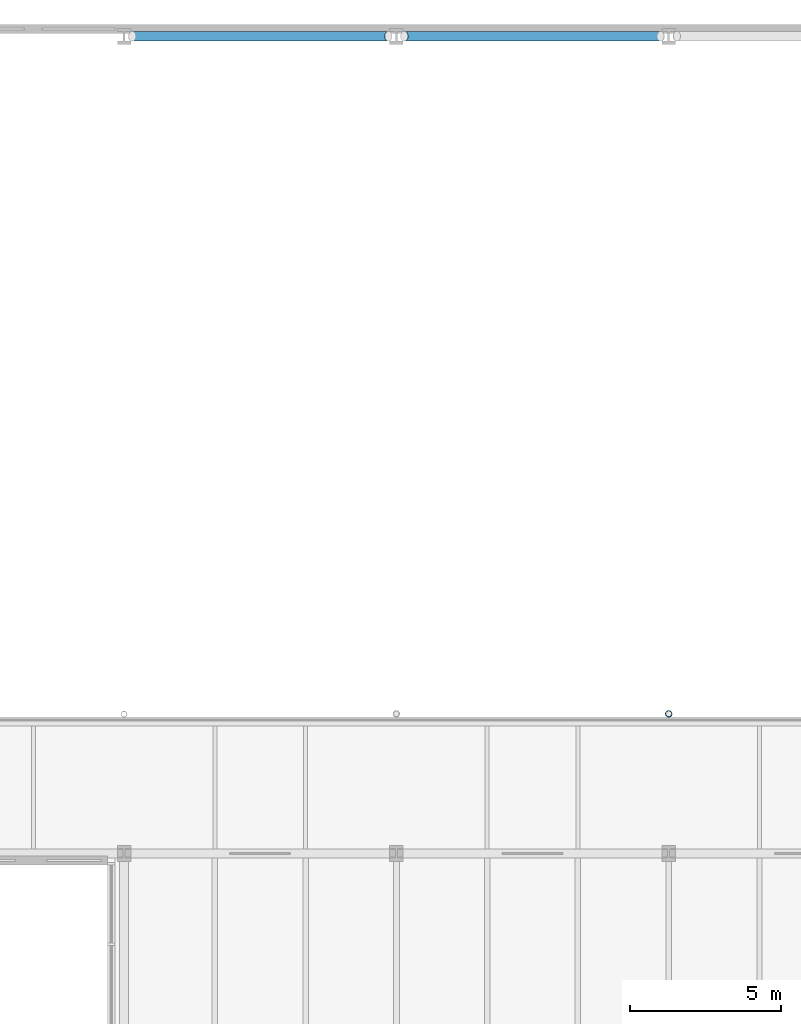
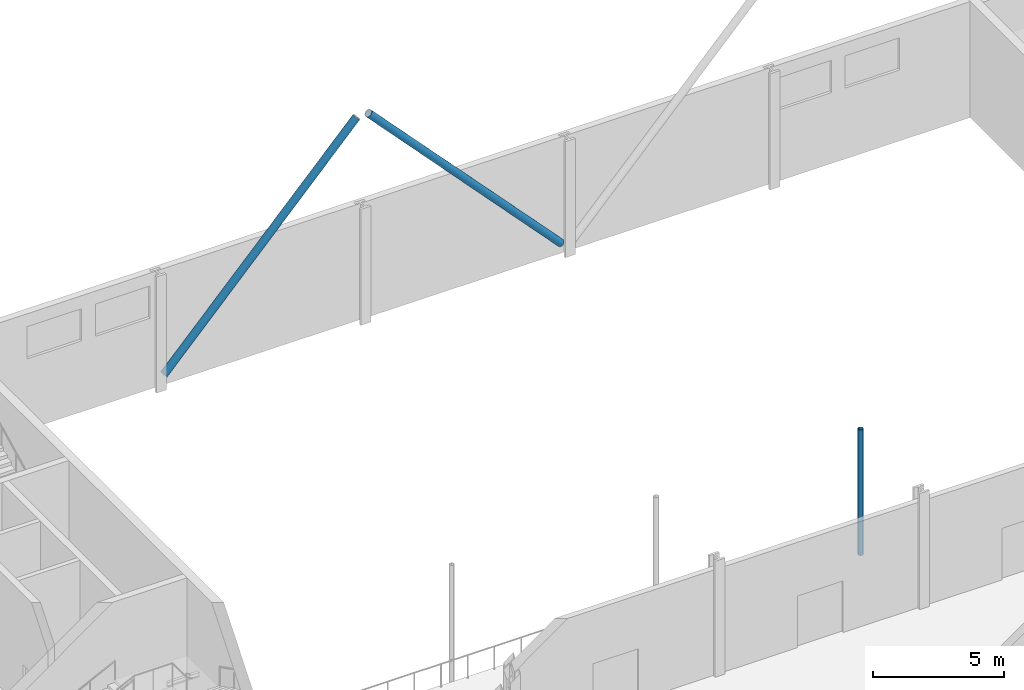
# One storey, part 22 of 56: 3 members.
"""IFC4 building model written with IfcOpenShell, lengths in metres."""

from ifc_helpers import new_model, si_unit, direction, frame, origin, origin_2d, place, context, subcontext, project, spatial, hollow_circle, extrude, material, material_profile, profile_set, type_object, element, save


model = new_model("IFC4")

# Units and contexts
model_context = context("Model", 3, precision=1e-05, world=origin(), true_north=direction((0.0, 1.0)))
body_context = subcontext(model_context, "Body", "Model", "MODEL_VIEW")
ifc_project = project(units=[si_unit("LENGTHUNIT", "METRE"), si_unit("AREAUNIT", "SQUARE_METRE"), si_unit("VOLUMEUNIT", "CUBIC_METRE"), si_unit("PLANEANGLEUNIT", "RADIAN"), si_unit("MASSUNIT", "GRAM", prefix="KILO")], contexts=[model_context])

# Site, building, storey
site_placement = place(None, origin())
site = spatial("IfcSite", under=ifc_project, at=site_placement, CompositionType="ELEMENT")
building_placement = place(site_placement, origin())
building = spatial("IfcBuilding", under=site, at=building_placement, Name="Azimuth Sports and Learning Centre", CompositionType="ELEMENT")
storey_placement = place(building_placement, frame((0.0, 0.0, 5.39990234375)))
storey = spatial("IfcBuildingStorey", under=building, at=storey_placement, Name="L01", CompositionType="ELEMENT", Elevation=5.39990234375)

# Members
ifc_material_1 = material(Name="Steel S355", Category="steel")
ifc_material_profile_1 = material_profile(ifc_material_1, hollow_circle(Radius=0.161865234375, WallThickness=0.012451171875, at=origin_2d()), Name="CHS 323.9x12.5")
ifc_profile_set_1 = profile_set([ifc_material_profile_1], Name="Steel S355")
member_type_1 = type_object("IfcMemberType", Name="Brace CHS 323.9x12.5", PredefinedType="BRACE", material=ifc_profile_set_1)
for number, where, z_axis, x_axis, name in (
    (1, (72.27001953125, 117.0, 0.55224609375), (0.685180930154, 0.0, 0.728372907893), (0.0, 1.0, 0.0), "Hall brace 9-10 L01"),
    (2, (89.72998046875, 117.0, 0.55224609375), (-0.685180930154, 0.0, 0.728372907893), (0.0, -1.0, 0.0), "Hall brace 10-11 L01"),
):
    element("IfcMember", number, at=place(storey_placement, frame(where, z_axis=z_axis, x_axis=x_axis)), inside=storey, type_object=member_type_1, Name=name, PredefinedType="BRACE", context=body_context, shape_type="SweptSolid", body=[
        extrude(hollow_circle(Radius=0.161865234375, WallThickness=0.012451171875, at=origin_2d()), origin(), (0.0, 0.0, 1.0), 12.3505859375),
    ])
ifc_material_2 = material(Name="Steel S355", Category="steel")
ifc_material_profile_2 = material_profile(ifc_material_2, hollow_circle(Radius=0.109619140625, WallThickness=0.010009765625, at=origin_2d()), Name="CHS 219.1x10.0")
ifc_profile_set_2 = profile_set([ifc_material_profile_2], Name="Steel S355")
member_type_2 = type_object("IfcMemberType", Name="Truss post CHS 219.1x10.0", PredefinedType="POST", material=ifc_profile_set_2)
member_placement = place(storey_placement, frame((90.0, 94.609619140625, -0.449951171875), z_axis=(0.0, 0.0, 1.0), x_axis=(1.0, 0.0, 0.0)))
element("IfcMember", 3, at=member_placement, inside=storey, type_object=member_type_2, Name="Gallery hanger FT-3", PredefinedType="POST", context=body_context, shape_type="SweptSolid", body=[
    extrude(hollow_circle(Radius=0.109619140625, WallThickness=0.010009765625, at=origin_2d()), origin(), (0.0, 0.0, 1.0), 5.85009765625),
])

save(model, "model.ifc")
